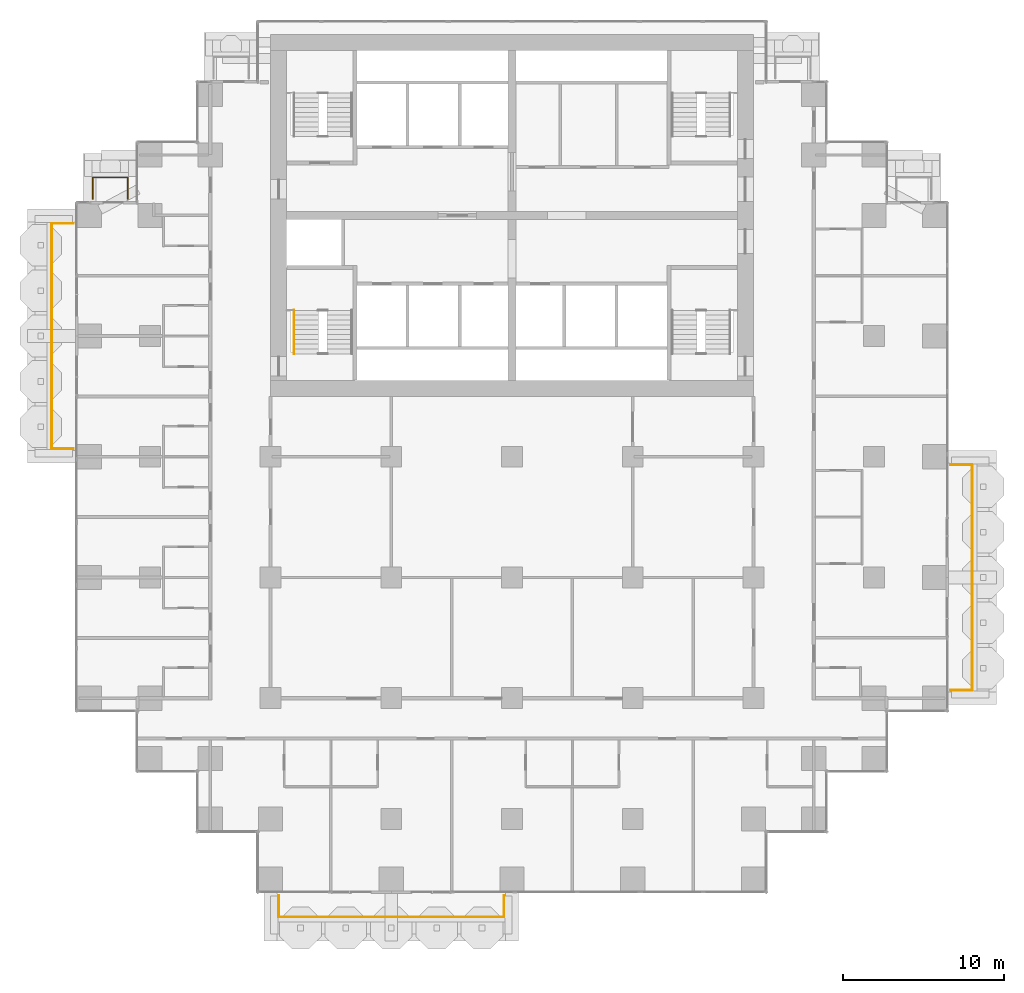
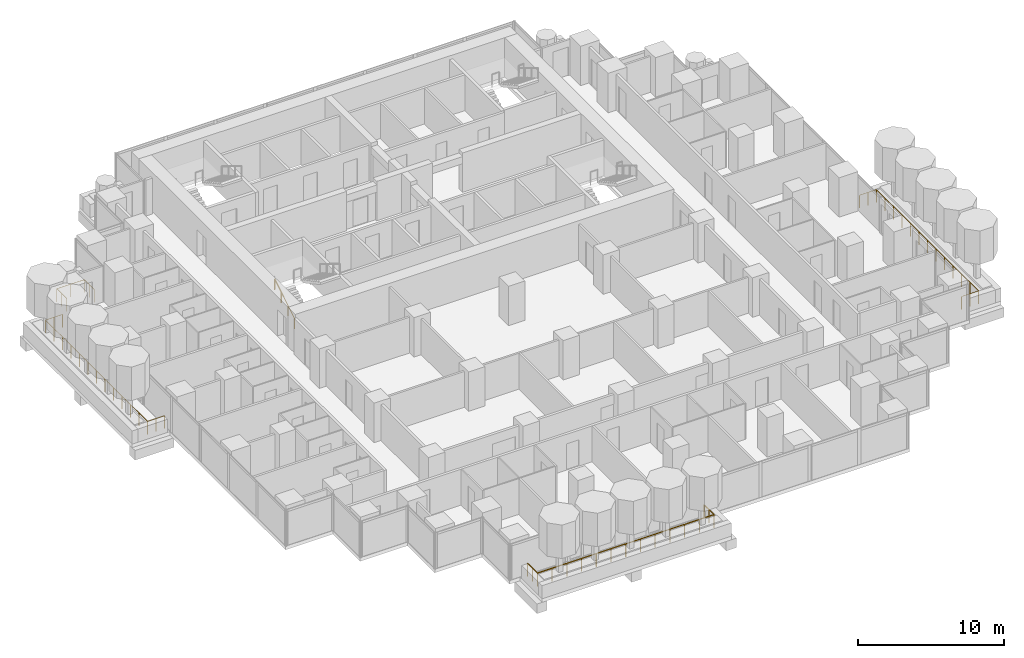
# One storey, part 16 of 18: 5 railings.
"""IFC4 building model written with IfcOpenShell, lengths in metres."""

from ifc_helpers import new_model, si_unit, direction, frame, origin, origin_2d, place, context, subcontext, project, spatial, circle, extrude, material, type_object, element, save


model = new_model("IFC4")

# Units and contexts
model_context = context("Model", 3, precision=1e-05, world=origin(), true_north=direction((0.0, 1.0)))
body_context = subcontext(model_context, "Body", "Model", "MODEL_VIEW")
ifc_project = project(units=[si_unit("LENGTHUNIT", "METRE"), si_unit("AREAUNIT", "SQUARE_METRE"), si_unit("VOLUMEUNIT", "CUBIC_METRE"), si_unit("PLANEANGLEUNIT", "RADIAN"), si_unit("MASSUNIT", "GRAM", prefix="KILO")], contexts=[model_context])

# Site, building, storey
site_placement = place(None, origin())
site = spatial("IfcSite", under=ifc_project, at=site_placement, CompositionType="ELEMENT")
building_placement = place(site_placement, origin())
building = spatial("IfcBuilding", under=site, at=building_placement, Name="Pilkhan Gate Tower", CompositionType="ELEMENT")
storey_placement = place(building_placement, frame((0.0, 0.0, 75.800048828125)))
storey = spatial("IfcBuildingStorey", under=building, at=storey_placement, Name="L17", CompositionType="ELEMENT", Elevation=75.800048828125)

# Railings
ifc_material_1 = material(Name="Pale anodised aluminium posts, laminated glass infill", Category="aluminium")
railing_type_1 = type_object("IfcRailingType", Name="Balcony guard G1", PredefinedType="BALUSTRADE", material=ifc_material_1)
railing_1_placement = place(storey_placement, frame((60.5, 40.25, 0.0)))
element("IfcRailing", 1, at=railing_1_placement, inside=storey, type_object=railing_type_1, Name="Balcony guard L17 S", PredefinedType="BALUSTRADE", context=body_context, shape_type="SweptSolid", body=[
    extrude(circle(Radius=0.02392578125, at=origin_2d()), frame((0.0, 0.0, 1.076171875), z_axis=(0.0, -1.0, 0.0), x_axis=(1.0, 0.0, 0.0)), (0.0, 0.0, 1.0), 1.35009765625),
    extrude(circle(Radius=0.02392578125, at=origin_2d()), frame((0.0, -1.35009765625, 1.076171875), z_axis=(1.0, 0.0, 0.0), x_axis=(0.0, 1.0, 0.0)), (0.0, 0.0, 1.0), 14.0),
    extrude(circle(Radius=0.02392578125, at=origin_2d()), frame((14.0, -1.35009765625, 1.076171875), z_axis=(0.0, 1.0, 0.0), x_axis=(-1.0, 0.0, 0.0)), (0.0, 0.0, 1.0), 1.35009765625),
    extrude(circle(Radius=0.02099609375, at=origin_2d()), origin(), (0.0, 0.0, 1.0), 1.052001953125),
    extrude(circle(Radius=0.02099609375, at=origin_2d()), frame((0.0, -0.675048828125, 0.0)), (0.0, 0.0, 1.0), 1.052001953125),
    extrude(circle(Radius=0.02099609375, at=origin_2d()), frame((0.0, -1.35009765625, 0.0)), (0.0, 0.0, 1.0), 1.052001953125),
    extrude(circle(Radius=0.02099609375, at=origin_2d()), frame((1.166748046875, -1.35009765625, 0.0)), (0.0, 0.0, 1.0), 1.052001953125),
    extrude(circle(Radius=0.02099609375, at=origin_2d()), frame((2.333251953125, -1.35009765625, 0.0)), (0.0, 0.0, 1.0), 1.052001953125),
    extrude(circle(Radius=0.02099609375, at=origin_2d()), frame((3.5, -1.35009765625, 0.0)), (0.0, 0.0, 1.0), 1.052001953125),
    extrude(circle(Radius=0.02099609375, at=origin_2d()), frame((4.666748046875, -1.35009765625, 0.0)), (0.0, 0.0, 1.0), 1.052001953125),
    extrude(circle(Radius=0.02099609375, at=origin_2d()), frame((5.833251953125, -1.35009765625, 0.0)), (0.0, 0.0, 1.0), 1.052001953125),
    extrude(circle(Radius=0.02099609375, at=origin_2d()), frame((7.0, -1.35009765625, 0.0)), (0.0, 0.0, 1.0), 1.052001953125),
    extrude(circle(Radius=0.02099609375, at=origin_2d()), frame((8.166748046875, -1.35009765625, 0.0)), (0.0, 0.0, 1.0), 1.052001953125),
    extrude(circle(Radius=0.02099609375, at=origin_2d()), frame((9.333251953125, -1.35009765625, 0.0)), (0.0, 0.0, 1.0), 1.052001953125),
    extrude(circle(Radius=0.02099609375, at=origin_2d()), frame((10.5, -1.35009765625, 0.0)), (0.0, 0.0, 1.0), 1.052001953125),
    extrude(circle(Radius=0.02099609375, at=origin_2d()), frame((11.666748046875, -1.35009765625, 0.0)), (0.0, 0.0, 1.0), 1.052001953125),
    extrude(circle(Radius=0.02099609375, at=origin_2d()), frame((12.833251953125, -1.35009765625, 0.0)), (0.0, 0.0, 1.0), 1.052001953125),
    extrude(circle(Radius=0.02099609375, at=origin_2d()), frame((14.0, -1.35009765625, 0.0)), (0.0, 0.0, 1.0), 1.052001953125),
    extrude(circle(Radius=0.02099609375, at=origin_2d()), frame((14.0, -0.675048828125, 0.0)), (0.0, 0.0, 1.0), 1.052001953125),
    extrude(circle(Radius=0.02099609375, at=origin_2d()), frame((14.0, 0.0, 0.0)), (0.0, 0.0, 1.0), 1.052001953125),
])
railing_2_placement = place(storey_placement, frame((102.25, 53.0, 0.0)))
element("IfcRailing", 2, at=railing_2_placement, inside=storey, type_object=railing_type_1, Name="Balcony guard L17 E", PredefinedType="BALUSTRADE", context=body_context, shape_type="SweptSolid", body=[
    extrude(circle(Radius=0.02392578125, at=origin_2d()), frame((0.0, 0.0, 1.076171875), z_axis=(1.0, 0.0, 0.0), x_axis=(0.0, 1.0, 0.0)), (0.0, 0.0, 1.0), 1.35009765625),
    extrude(circle(Radius=0.02392578125, at=origin_2d()), frame((1.35009765625, 0.0, 1.076171875), z_axis=(0.0, 1.0, 0.0), x_axis=(-1.0, 0.0, 0.0)), (0.0, 0.0, 1.0), 14.0),
    extrude(circle(Radius=0.02392578125, at=origin_2d()), frame((1.35009765625, 14.0, 1.076171875), z_axis=(-1.0, 0.0, 0.0), x_axis=(0.0, -1.0, 0.0)), (0.0, 0.0, 1.0), 1.35009765625),
    extrude(circle(Radius=0.02099609375, at=origin_2d()), origin(), (0.0, 0.0, 1.0), 1.052001953125),
    extrude(circle(Radius=0.02099609375, at=origin_2d()), frame((0.675048828125, 0.0, 0.0)), (0.0, 0.0, 1.0), 1.052001953125),
    extrude(circle(Radius=0.02099609375, at=origin_2d()), frame((1.35009765625, 0.0, 0.0)), (0.0, 0.0, 1.0), 1.052001953125),
    extrude(circle(Radius=0.02099609375, at=origin_2d()), frame((1.35009765625, 1.166748046875, 0.0)), (0.0, 0.0, 1.0), 1.052001953125),
    extrude(circle(Radius=0.02099609375, at=origin_2d()), frame((1.35009765625, 2.333251953125, 0.0)), (0.0, 0.0, 1.0), 1.052001953125),
    extrude(circle(Radius=0.02099609375, at=origin_2d()), frame((1.35009765625, 3.5, 0.0)), (0.0, 0.0, 1.0), 1.052001953125),
    extrude(circle(Radius=0.02099609375, at=origin_2d()), frame((1.35009765625, 4.666748046875, 0.0)), (0.0, 0.0, 1.0), 1.052001953125),
    extrude(circle(Radius=0.02099609375, at=origin_2d()), frame((1.35009765625, 5.833251953125, 0.0)), (0.0, 0.0, 1.0), 1.052001953125),
    extrude(circle(Radius=0.02099609375, at=origin_2d()), frame((1.35009765625, 7.0, 0.0)), (0.0, 0.0, 1.0), 1.052001953125),
    extrude(circle(Radius=0.02099609375, at=origin_2d()), frame((1.35009765625, 8.166748046875, 0.0)), (0.0, 0.0, 1.0), 1.052001953125),
    extrude(circle(Radius=0.02099609375, at=origin_2d()), frame((1.35009765625, 9.333251953125, 0.0)), (0.0, 0.0, 1.0), 1.052001953125),
    extrude(circle(Radius=0.02099609375, at=origin_2d()), frame((1.35009765625, 10.5, 0.0)), (0.0, 0.0, 1.0), 1.052001953125),
    extrude(circle(Radius=0.02099609375, at=origin_2d()), frame((1.35009765625, 11.666748046875, 0.0)), (0.0, 0.0, 1.0), 1.052001953125),
    extrude(circle(Radius=0.02099609375, at=origin_2d()), frame((1.35009765625, 12.833251953125, 0.0)), (0.0, 0.0, 1.0), 1.052001953125),
    extrude(circle(Radius=0.02099609375, at=origin_2d()), frame((1.35009765625, 14.0, 0.0)), (0.0, 0.0, 1.0), 1.052001953125),
    extrude(circle(Radius=0.02099609375, at=origin_2d()), frame((0.675048828125, 14.0, 0.0)), (0.0, 0.0, 1.0), 1.052001953125),
    extrude(circle(Radius=0.02099609375, at=origin_2d()), frame((0.0, 14.0, 0.0)), (0.0, 0.0, 1.0), 1.052001953125),
])
railing_3_placement = place(storey_placement, frame((48.949951171875, 83.52001953125, 0.0)))
element("IfcRailing", 3, at=railing_3_placement, inside=storey, type_object=railing_type_1, Name="Balcony guard L17 N", PredefinedType="BALUSTRADE", context=body_context, shape_type="SweptSolid", body=[
    extrude(circle(Radius=0.02392578125, at=origin_2d()), frame((0.0, 0.0, 1.076171875), z_axis=(0.0, 1.0, 0.0), x_axis=(-1.0, 0.0, 0.0)), (0.0, 0.0, 1.0), 1.330078125),
    extrude(circle(Radius=0.02392578125, at=origin_2d()), frame((0.0, 1.330078125, 1.076171875), z_axis=(1.0, 0.0, 0.0), x_axis=(0.0, 1.0, 0.0)), (0.0, 0.0, 1.0), 2.179931640625),
    extrude(circle(Radius=0.02392578125, at=origin_2d()), frame((2.179931640625, 1.330078125, 1.076171875), z_axis=(0.0, -1.0, 0.0), x_axis=(1.0, 0.0, 0.0)), (0.0, 0.0, 1.0), 1.330078125),
    extrude(circle(Radius=0.02099609375, at=origin_2d()), origin(), (0.0, 0.0, 1.0), 1.052001953125),
    extrude(circle(Radius=0.02099609375, at=origin_2d()), frame((0.0, 0.6650390625, 0.0)), (0.0, 0.0, 1.0), 1.052001953125),
    extrude(circle(Radius=0.02099609375, at=origin_2d()), frame((0.0, 1.330078125, 0.0)), (0.0, 0.0, 1.0), 1.052001953125),
    extrude(circle(Radius=0.02099609375, at=origin_2d()), frame((1.08984375, 1.330078125, 0.0)), (0.0, 0.0, 1.0), 1.052001953125),
    extrude(circle(Radius=0.02099609375, at=origin_2d()), frame((2.179931640625, 1.330078125, 0.0)), (0.0, 0.0, 1.0), 1.052001953125),
    extrude(circle(Radius=0.02099609375, at=origin_2d()), frame((2.179931640625, 0.6650390625, 0.0)), (0.0, 0.0, 1.0), 1.052001953125),
    extrude(circle(Radius=0.02099609375, at=origin_2d()), frame((2.179931640625, 0.0, 0.0)), (0.0, 0.0, 1.0), 1.052001953125),
])
railing_4_placement = place(storey_placement, frame((47.75, 68.0, 0.0)))
element("IfcRailing", 4, at=railing_4_placement, inside=storey, type_object=railing_type_1, Name="Balcony guard L17 W", PredefinedType="BALUSTRADE", context=body_context, shape_type="SweptSolid", body=[
    extrude(circle(Radius=0.02392578125, at=origin_2d()), frame((0.0, 0.0, 1.076171875), z_axis=(-1.0, 0.0, 0.0), x_axis=(0.0, -1.0, 0.0)), (0.0, 0.0, 1.0), 1.35009765625),
    extrude(circle(Radius=0.02392578125, at=origin_2d()), frame((-1.35009765625, 0.0, 1.076171875), z_axis=(0.0, 1.0, 0.0), x_axis=(-1.0, 0.0, 0.0)), (0.0, 0.0, 1.0), 14.0),
    extrude(circle(Radius=0.02392578125, at=origin_2d()), frame((-1.35009765625, 14.0, 1.076171875), z_axis=(1.0, 0.0, 0.0), x_axis=(0.0, 1.0, 0.0)), (0.0, 0.0, 1.0), 1.35009765625),
    extrude(circle(Radius=0.02099609375, at=origin_2d()), origin(), (0.0, 0.0, 1.0), 1.052001953125),
    extrude(circle(Radius=0.02099609375, at=origin_2d()), frame((-0.675048828125, 0.0, 0.0)), (0.0, 0.0, 1.0), 1.052001953125),
    extrude(circle(Radius=0.02099609375, at=origin_2d()), frame((-1.35009765625, 0.0, 0.0)), (0.0, 0.0, 1.0), 1.052001953125),
    extrude(circle(Radius=0.02099609375, at=origin_2d()), frame((-1.35009765625, 1.166748046875, 0.0)), (0.0, 0.0, 1.0), 1.052001953125),
    extrude(circle(Radius=0.02099609375, at=origin_2d()), frame((-1.35009765625, 2.333251953125, 0.0)), (0.0, 0.0, 1.0), 1.052001953125),
    extrude(circle(Radius=0.02099609375, at=origin_2d()), frame((-1.35009765625, 3.5, 0.0)), (0.0, 0.0, 1.0), 1.052001953125),
    extrude(circle(Radius=0.02099609375, at=origin_2d()), frame((-1.35009765625, 4.666748046875, 0.0)), (0.0, 0.0, 1.0), 1.052001953125),
    extrude(circle(Radius=0.02099609375, at=origin_2d()), frame((-1.35009765625, 5.833251953125, 0.0)), (0.0, 0.0, 1.0), 1.052001953125),
    extrude(circle(Radius=0.02099609375, at=origin_2d()), frame((-1.35009765625, 7.0, 0.0)), (0.0, 0.0, 1.0), 1.052001953125),
    extrude(circle(Radius=0.02099609375, at=origin_2d()), frame((-1.35009765625, 8.166748046875, 0.0)), (0.0, 0.0, 1.0), 1.052001953125),
    extrude(circle(Radius=0.02099609375, at=origin_2d()), frame((-1.35009765625, 9.333251953125, 0.0)), (0.0, 0.0, 1.0), 1.052001953125),
    extrude(circle(Radius=0.02099609375, at=origin_2d()), frame((-1.35009765625, 10.5, 0.0)), (0.0, 0.0, 1.0), 1.052001953125),
    extrude(circle(Radius=0.02099609375, at=origin_2d()), frame((-1.35009765625, 11.666748046875, 0.0)), (0.0, 0.0, 1.0), 1.052001953125),
    extrude(circle(Radius=0.02099609375, at=origin_2d()), frame((-1.35009765625, 12.833251953125, 0.0)), (0.0, 0.0, 1.0), 1.052001953125),
    extrude(circle(Radius=0.02099609375, at=origin_2d()), frame((-1.35009765625, 14.0, 0.0)), (0.0, 0.0, 1.0), 1.052001953125),
    extrude(circle(Radius=0.02099609375, at=origin_2d()), frame((-0.675048828125, 14.0, 0.0)), (0.0, 0.0, 1.0), 1.052001953125),
    extrude(circle(Radius=0.02099609375, at=origin_2d()), frame((0.0, 14.0, 0.0)), (0.0, 0.0, 1.0), 1.052001953125),
])
ifc_material_2 = material(Name="Black powder-coated steel tube", Category="steel")
railing_type_2 = type_object("IfcRailingType", Name="Stair handrail HR1", PredefinedType="HANDRAIL", material=ifc_material_2)
railing_5_placement = place(storey_placement, frame((61.449951171875, 73.89990234375, 0.0)))
element("IfcRailing", 5, at=railing_5_placement, inside=storey, type_object=railing_type_2, Name="Stair ST2 handrail L17", PredefinedType="HANDRAIL", context=body_context, shape_type="SweptSolid", body=[
    extrude(circle(Radius=0.02392578125, at=origin_2d()), frame((0.0, 0.0, 0.8759765625), z_axis=(0.0, 0.853312346642, 0.521400075823), x_axis=(-1.0, 0.0, 0.0)), (0.0, 0.0, 1.0), 3.164306640625),
    extrude(circle(Radius=0.02099609375, at=origin_2d()), origin(), (0.0, 0.0, 1.0), 0.851806640625),
    extrude(circle(Radius=0.02099609375, at=origin_2d()), frame((0.0, 0.900146484375, 0.550048828125)), (0.0, 0.0, 1.0), 0.851806640625),
    extrude(circle(Radius=0.02099609375, at=origin_2d()), frame((0.0, 1.800048828125, 1.099853515625)), (0.0, 0.0, 1.0), 0.851806640625),
    extrude(circle(Radius=0.02099609375, at=origin_2d()), frame((0.0, 2.7001953125, 1.64990234375)), (0.0, 0.0, 1.0), 0.851806640625),
])

save(model, "model.ifc")
